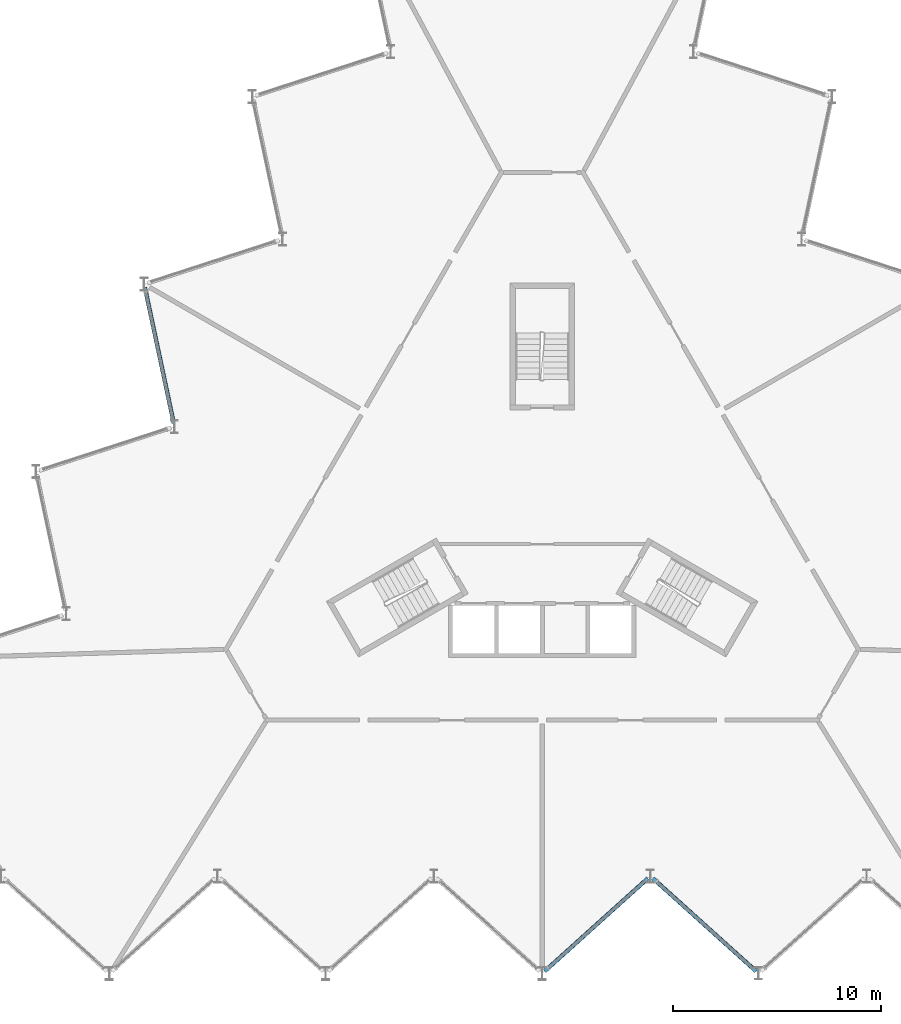
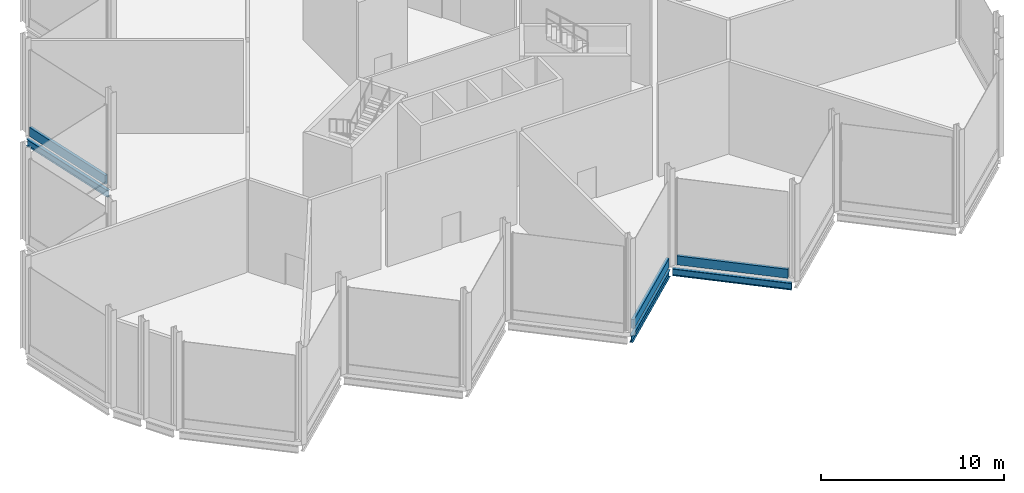
# One storey, part 5 of 12: 3 beams, 3 members, 3 elements without a shape of their own.
"""IFC4 building model written with IfcOpenShell, lengths in metres."""

from ifc_helpers import new_model, si_unit, direction, frame, origin, origin_2d, place, context, subcontext, project, spatial, rectangle, i_section, extrude, material, layer, layer_set, material_profile, profile_set, type_object, element, aggregate, save


model = new_model("IFC4")

# Units and contexts
model_context = context("Model", 3, precision=1e-05, world=origin(), true_north=direction((0.0, 1.0)))
body_context = subcontext(model_context, "Body", "Model", "MODEL_VIEW")
ifc_project = project(units=[si_unit("LENGTHUNIT", "METRE"), si_unit("AREAUNIT", "SQUARE_METRE"), si_unit("VOLUMEUNIT", "CUBIC_METRE"), si_unit("PLANEANGLEUNIT", "RADIAN"), si_unit("MASSUNIT", "GRAM", prefix="KILO")], contexts=[model_context])

# Site, building, storey
site_placement = place(None, origin())
site = spatial("IfcSite", under=ifc_project, at=site_placement, CompositionType="ELEMENT")
building_placement = place(site_placement, origin())
building = spatial("IfcBuilding", under=site, at=building_placement, Name="Cormorant Prow Tower", CompositionType="ELEMENT")
storey_placement = place(building_placement, frame((0.0, 0.0, 421.699951171875)))
storey = spatial("IfcBuildingStorey", under=building, at=storey_placement, Name="L95", CompositionType="ELEMENT", Elevation=421.699951171875)

# Beams
ifc_material_1 = material(Name="Structural steel ASTM A992 Gr 50", Category="steel")
ifc_material_profile_1 = material_profile(ifc_material_1, i_section(OverallWidth=0.19287109375, OverallDepth=0.466064453125, WebThickness=0.011474609375, FlangeThickness=0.01904296875, at=origin_2d()), Name="W18x65")
ifc_profile_set_1 = profile_set([ifc_material_profile_1], Name="Structural steel ASTM A992 Gr 50")
beam_type = type_object("IfcBeamType", Name="Crown ring beam W18x65", PredefinedType="SPANDREL", material=ifc_profile_set_1)
for number, where, z_axis, x_axis, name in (
    (1, (0.121337890625, -21.978515625, -0.532958984375), (0.743139440672, 0.669136586743, 0.0), (-0.669136586743, 0.743139440672, 0.0), "Crown ring beam SB5 S05-S06 L95"),
    (2, (5.3212890625, -17.514892578125, -0.532958984375), (0.743139440672, -0.669136586743, 0.0), (0.669136586743, 0.743139440672, 0.0), "Crown ring beam SB5 S06-S07 L95"),
):
    element("IfcBeam", number, at=place(storey_placement, frame(where, z_axis=z_axis, x_axis=x_axis)), inside=storey, type_object=beam_type, Name=name, PredefinedType="SPANDREL", context=body_context, shape_type="SweptSolid", body=[
        extrude(i_section(OverallWidth=0.19287109375, OverallDepth=0.466064453125, WebThickness=0.011474609375, FlangeThickness=0.01904296875, at=origin_2d()), origin(), (0.0, 0.0, 1.0), 6.670654296875),
    ])
beam_placement = place(storey_placement, frame((-19.0947265625, 10.88427734375, -0.532958984375), z_axis=(0.207911717999, -0.978147594956, 0.0), x_axis=(0.978147594956, 0.207911717999, 0.0)))
element("IfcBeam", 3, at=beam_placement, inside=storey, type_object=beam_type, Name="Crown ring beam SB5 WNW05-WNW06 L95", PredefinedType="SPANDREL", context=body_context, shape_type="SweptSolid", body=[
    extrude(i_section(OverallWidth=0.19287109375, OverallDepth=0.466064453125, WebThickness=0.011474609375, FlangeThickness=0.01904296875, at=origin_2d()), origin(), (0.0, 0.0, 1.0), 6.6708984375),
])

# Curtain wall, member
ifc_material_2 = material(Name="Aluminium 6063-T6", Category="aluminium")
ifc_layer = layer(ifc_material_2, 0.219970703125)
ifc_layer_set = layer_set([ifc_layer], Name="Aluminium 6063-T6")
curtain_wall_type = type_object("IfcCurtainWallType", Name="Crown unitised curtain wall 220", PredefinedType="NOTDEFINED", material=ifc_layer_set)
curtain_wall_1_placement = place(storey_placement, origin())
curtain_wall_1 = element("IfcCurtainWall", 4, at=curtain_wall_1_placement, inside=storey, type_object=curtain_wall_type, Name="Crown curtain wall crown S05", PredefinedType="NOTDEFINED")
ifc_material_3 = material(Name="Terracotta", Category="masonry")
ifc_material_profile_2 = material_profile(ifc_material_3, rectangle(XDim=0.179931640625, YDim=0.60009765625, at=origin_2d()), Name="Crown terracotta spandrel rail 180x600")
ifc_profile_set_2 = profile_set([ifc_material_profile_2], Name="Terracotta")
member_type = type_object("IfcMemberType", Name="Crown terracotta spandrel rail 180x600", PredefinedType="USERDEFINED", material=ifc_profile_set_2)
member_1_placement = place(storey_placement, frame((0.316650390625, -21.802734375, 0.300048828125), z_axis=(0.743141530577, 0.669134265699, 0.0), x_axis=(-0.669134265699, 0.743141530577, 0.0)))
member_1 = element("IfcMember", 5, at=member_1_placement, type_object=member_type, Name="Crown spandrel rail crown S05", ObjectType="TRANSOM", PredefinedType="USERDEFINED", context=body_context, shape_type="SweptSolid", body=[
    extrude(rectangle(XDim=0.179931640625, YDim=0.60009765625, at=origin_2d()), origin(), (0.0, 0.0, 1.0), 6.205078125),
])
aggregate(curtain_wall_1, [member_1])

curtain_wall_2_placement = place(storey_placement, origin())
curtain_wall_2 = element("IfcCurtainWall", 6, at=curtain_wall_2_placement, inside=storey, type_object=curtain_wall_type, Name="Crown curtain wall crown S06", PredefinedType="NOTDEFINED")
member_2_placement = place(storey_placement, frame((5.5166015625, -17.690673828125, 0.300048828125), z_axis=(0.743121966202, -0.669155993285, 0.0), x_axis=(0.669155993285, 0.743121966202, 0.0)))
member_2 = element("IfcMember", 7, at=member_2_placement, type_object=member_type, Name="Crown spandrel rail crown S06", ObjectType="TRANSOM", PredefinedType="USERDEFINED", context=body_context, shape_type="SweptSolid", body=[
    extrude(rectangle(XDim=0.179931640625, YDim=0.60009765625, at=origin_2d()), origin(), (0.0, 0.0, 1.0), 6.205322265625),
])
aggregate(curtain_wall_2, [member_2])

curtain_wall_3_placement = place(storey_placement, origin())
curtain_wall_3 = element("IfcCurtainWall", 8, at=curtain_wall_3_placement, inside=storey, type_object=curtain_wall_type, Name="Crown curtain wall crown WNW05", PredefinedType="NOTDEFINED")
member_3_placement = place(storey_placement, frame((-19.0400390625, 10.627197265625, 0.300048828125), z_axis=(0.207897812215, -0.978150550619, 0.0), x_axis=(0.978150550619, 0.207897812215, 0.0)))
member_3 = element("IfcMember", 9, at=member_3_placement, type_object=member_type, Name="Crown spandrel rail crown WNW05", ObjectType="TRANSOM", PredefinedType="USERDEFINED", context=body_context, shape_type="SweptSolid", body=[
    extrude(rectangle(XDim=0.179931640625, YDim=0.60009765625, at=origin_2d()), origin(), (0.0, 0.0, 1.0), 6.205078125),
])
aggregate(curtain_wall_3, [member_3])

save(model, "model.ifc")
